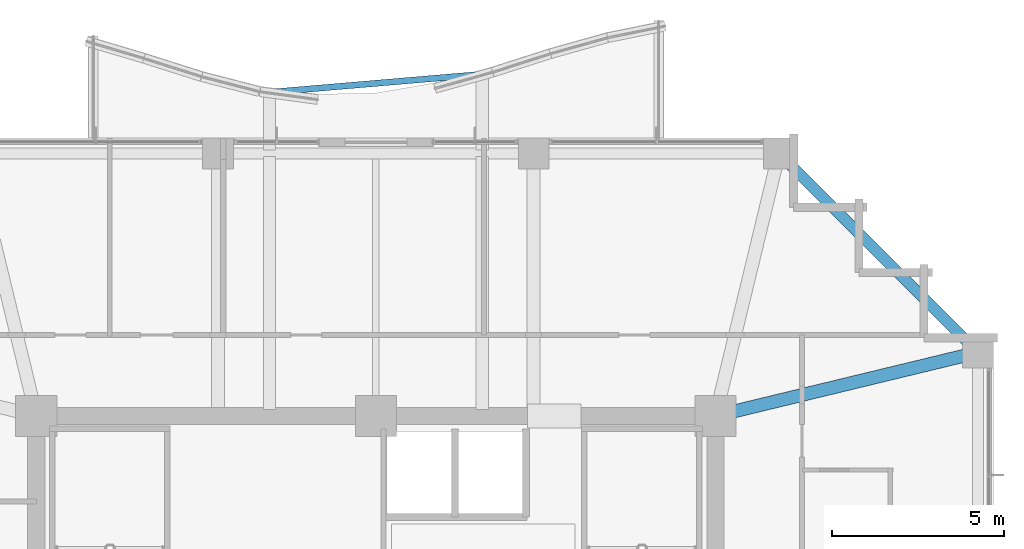
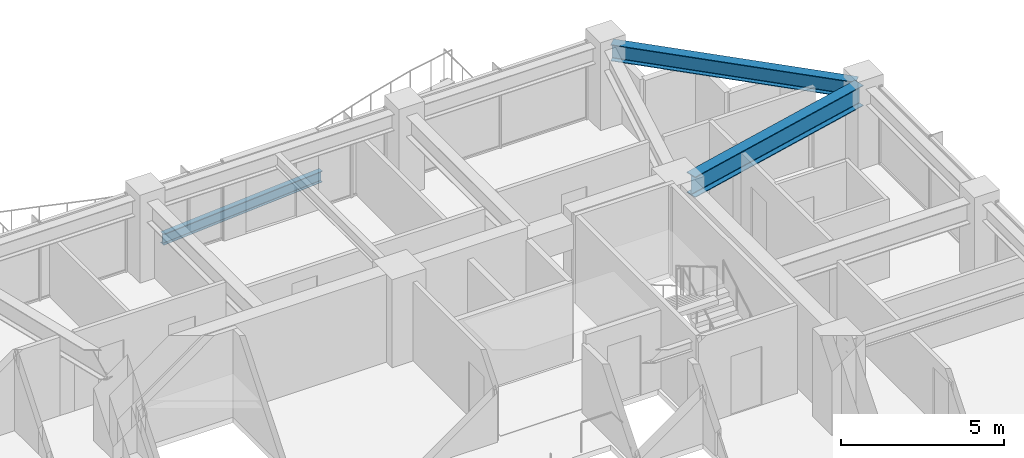
# One storey, part 20 of 31: 3 beams.
"""IFC4 building model written with IfcOpenShell, lengths in metres."""

import ifcopenshell
import ifcopenshell.guid

model = None  # the IFC model being written
_history = None  # IfcOwnerHistory: only IFC2X3 demands one
_inside = {}  # id of a spatial element -> (the spatial element, [elements in it])
_under = {}  # id of a project, library or spatial element -> (it, [spatial elements below it])
_declared = {}  # id of a project -> (the project, [libraries it declares])
_typed = {}  # id of a type object -> (the type object, [elements of that type])
_made_of = {}  # id of a material, layer set ... -> (it, [elements and type objects made of it])


def new_model(schema):
    """Start an empty IFC model of exactly this schema.

    Asked for "IFC4X3", IfcOpenShell would pick the latest addendum, in which some entities
    have other attributes; the version numbers below select the first issue.
    IFC2X3 requires an IfcOwnerHistory on every rooted entity: one is made here for all.
    """
    global model, _history
    if schema == "IFC4X3":
        model = ifcopenshell.file(schema_version=(4, 3, 0, 0))
    else:
        model = ifcopenshell.file(schema=schema)
    _inside.clear()
    _under.clear()
    _declared.clear()
    _typed.clear()
    _made_of.clear()
    _history = None
    if model.schema == "IFC2X3":
        org = make("IfcOrganization", Name="unknown")
        user = make(
            "IfcPersonAndOrganization",
            ThePerson=make("IfcPerson", FamilyName="unknown"),
            TheOrganization=org,
        )
        app = make(
            "IfcApplication",
            ApplicationDeveloper=org,
            Version="unknown",
            ApplicationFullName="unknown",
            ApplicationIdentifier="unknown",
        )
        _history = make(
            "IfcOwnerHistory",
            OwningUser=user,
            OwningApplication=app,
            ChangeAction="ADDED",
            CreationDate=0,
        )
    return model


def make(cls, **values):
    """One entity of the class cls with the attributes given. An attribute that is None is left unset."""
    return model.create_entity(
        cls, **{name: value for name, value in values.items() if value is not None}
    )


def rooted(cls, **values):
    """An entity with a GlobalId (a new one), such as an element, a storey or a relation."""
    return make(cls, GlobalId=ifcopenshell.guid.new(), OwnerHistory=_history, **values)


def si_unit(unit_type, name, prefix=None):
    """IfcSIUnit, for example si_unit("LENGTHUNIT", "METRE", prefix="MILLI")."""
    return make("IfcSIUnit", UnitType=unit_type, Prefix=prefix, Name=name)


def assignment(units):
    """IfcUnitAssignment: the units of a project."""
    return None if units is None else make("IfcUnitAssignment", Units=units)


def point(xyz):
    """IfcCartesianPoint."""
    return None if xyz is None else make("IfcCartesianPoint", Coordinates=xyz)


def direction(xyz):
    """IfcDirection."""
    return None if xyz is None else make("IfcDirection", DirectionRatios=xyz)


def frame(location, z_axis=None, x_axis=None):
    """IfcAxis2Placement3D, a coordinate frame: its origin and axes. An axis left out is left unset."""
    return make(
        "IfcAxis2Placement3D",
        Location=point(location),
        Axis=direction(z_axis),
        RefDirection=direction(x_axis),
    )


def frame_2d(location, x_axis=None):
    """IfcAxis2Placement2D, a coordinate frame in the plane: its origin and x axis."""
    return make(
        "IfcAxis2Placement2D", Location=point(location), RefDirection=direction(x_axis)
    )


def origin():
    """The frame at (0, 0, 0) with its axes left unset."""
    return frame((0.0, 0.0, 0.0))


def origin_2d():
    """The frame at (0, 0) in the plane with its x axis left unset."""
    return frame_2d((0.0, 0.0))


def place(relative_to, where):
    """IfcLocalPlacement: puts the frame where relative to a parent placement (None: the world)."""
    return make(
        "IfcLocalPlacement", PlacementRelTo=relative_to, RelativePlacement=where
    )


def context(
    kind, dimensions, precision=None, world=None, true_north=None, identifier=None
):
    """IfcGeometricRepresentationContext, for example the 3D "Model" context."""
    return make(
        "IfcGeometricRepresentationContext",
        ContextIdentifier=identifier,
        ContextType=kind,
        CoordinateSpaceDimension=dimensions,
        Precision=precision,
        WorldCoordinateSystem=world,
        TrueNorth=true_north,
    )


def subcontext(parent, identifier, kind, view, scale=None):
    """IfcGeometricRepresentationSubContext, for example "Body" below "Model"."""
    return make(
        "IfcGeometricRepresentationSubContext",
        ContextIdentifier=identifier,
        ContextType=kind,
        ParentContext=parent,
        TargetScale=scale,
        TargetView=view,
    )


def project(units=None, contexts=None):
    """IfcProject with its units and contexts."""
    return rooted(
        "IfcProject",
        Name="project",
        RepresentationContexts=contexts,
        UnitsInContext=assignment(units),
    )


def spatial(cls, under=None, at=None, **own):
    """A site, building, storey or space (cls), placed at a placement, below another one or the project."""
    s = rooted(cls, ObjectPlacement=at, **own)
    if under is not None:
        _under.setdefault(under.id(), (under, []))[1].append(s)
    return s


def profile(cls, at=None, kind="AREA", **sizes):
    """A parametric profile (cls). Its sizes go by their IFC names, for example OverallWidth=200.0."""
    return make(cls, ProfileType=kind, Position=at, **sizes)


def i_section(**sizes):
    """IfcIShapeProfileDef."""
    return profile("IfcIShapeProfileDef", **sizes)


def extrude(swept, where, along, depth):
    """IfcExtrudedAreaSolid: the profile swept, set in the frame where, extruded along a direction by depth."""
    return make(
        "IfcExtrudedAreaSolid",
        SweptArea=swept,
        Position=where,
        ExtrudedDirection=direction(along),
        Depth=depth,
    )


def shape(context_of_items, identifier, shape_type, items):
    """IfcShapeRepresentation: the items that make up one representation, for example the "Body"."""
    return make(
        "IfcShapeRepresentation",
        ContextOfItems=context_of_items,
        RepresentationIdentifier=identifier,
        RepresentationType=shape_type,
        Items=items,
    )


def material(Name=None, Category=None):
    """IfcMaterial."""
    return make("IfcMaterial", Name=Name, Category=Category)


def material_profile(
    of_material, cross_section, Name=None, Category=None, Priority=None
):
    """IfcMaterialProfile: a cross section and its material."""
    return make(
        "IfcMaterialProfile",
        Name=Name,
        Material=of_material,
        Profile=cross_section,
        Priority=Priority,
        Category=Category,
    )


def profile_set(profiles, Name=None, composite=None):
    """IfcMaterialProfileSet."""
    return make(
        "IfcMaterialProfileSet",
        Name=Name,
        MaterialProfiles=profiles,
        CompositeProfile=composite,
    )


def made_of(thing, what):
    """Note that an element or type object is made of a material, layer set ...; save() writes the relation."""
    if what is not None:
        _made_of.setdefault(what.id(), (what, []))[1].append(thing)
    return thing


def type_object(cls, material=None, **own):
    """A type object (cls), such as IfcWallType, which elements share."""
    return made_of(rooted(cls, **own), material)


def element(
    cls,
    number,
    at=None,
    inside=None,
    cuts=None,
    type_object=None,
    material=None,
    context=None,
    identifier="Body",
    shape_type=None,
    held_by="IfcProductDefinitionShape",
    body=None,
    shapes=None,
    **own,
):
    """One element of the class cls, such as IfcWall. Its Tag is "e" and its number.

    at: its placement. inside: the storey or other place that contains it. cuts: it is an
    opening in that element (IfcRelVoidsElement). A single representation is given by context,
    identifier, shape_type and body (its items); several are given by shapes. held_by: the class
    of the entity that holds the representations. save() writes the other relations.
    """
    e = rooted(cls, Tag="e%d" % number, ObjectPlacement=at, **own)
    if body is not None:
        shapes = [shape(context, identifier, shape_type, body)]
    if shapes is not None:
        e.Representation = make(held_by, Representations=shapes)
    if inside is not None:
        _inside.setdefault(inside.id(), (inside, []))[1].append(e)
    if cuts is not None:
        rooted(
            "IfcRelVoidsElement", RelatingBuildingElement=cuts, RelatedOpeningElement=e
        )
    if type_object is not None:
        _typed.setdefault(type_object.id(), (type_object, []))[1].append(e)
    return made_of(e, material)


def aggregate(whole, parts):
    """IfcRelAggregates: a whole, such as a stair, and the parts it consists of."""
    return rooted("IfcRelAggregates", RelatingObject=whole, RelatedObjects=parts)


def save(model, path):
    """Write the relations noted so far, then the file.

    IfcRelAggregates (storeys below a building ...), IfcRelContainedInSpatialStructure (elements
    in a storey), IfcRelDefinesByType, IfcRelAssociatesMaterial and IfcRelDeclares: one each for
    every whole, place, type object, material and project.
    """
    for whole, parts in _under.values():
        aggregate(whole, parts)
    for where, things in _inside.values():
        rooted(
            "IfcRelContainedInSpatialStructure",
            RelatedElements=things,
            RelatingStructure=where,
        )
    for kind, things in _typed.values():
        rooted("IfcRelDefinesByType", RelatedObjects=things, RelatingType=kind)
    for what, things in _made_of.values():
        rooted("IfcRelAssociatesMaterial", RelatedObjects=things, RelatingMaterial=what)
    for by, libraries in _declared.values():
        rooted("IfcRelDeclares", RelatingContext=by, RelatedDefinitions=libraries)
    model.write(path)


model = new_model("IFC4")

# Units and contexts
model_context = context("Model", 3, precision=1e-05, world=origin(), true_north=direction((0.0, 1.0)))
body_context = subcontext(model_context, "Body", "Model", "MODEL_VIEW")
ifc_project = project(units=[si_unit("LENGTHUNIT", "METRE"), si_unit("AREAUNIT", "SQUARE_METRE"), si_unit("VOLUMEUNIT", "CUBIC_METRE"), si_unit("PLANEANGLEUNIT", "RADIAN"), si_unit("MASSUNIT", "GRAM", prefix="KILO")], contexts=[model_context])

# Site, building, storey
site_placement = place(None, origin())
site = spatial("IfcSite", under=ifc_project, at=site_placement, CompositionType="ELEMENT")
building_placement = place(site_placement, origin())
building = spatial("IfcBuilding", under=site, at=building_placement, Name="Kolvaren Belvedere", CompositionType="ELEMENT")
storey_placement = place(building_placement, frame((0.0, 0.0, 144.800048828125)))
storey = spatial("IfcBuildingStorey", under=building, at=storey_placement, Name="L42", CompositionType="ELEMENT", Elevation=144.800048828125)

# Beams
ifc_material_1 = material(Name="Structural steel ASTM A992 Grade 50", Category="steel")
ifc_material_profile_1 = material_profile(ifc_material_1, i_section(OverallWidth=0.180908203125, OverallDepth=0.4169921875, WebThickness=0.010986328125, FlangeThickness=0.018310546875, FilletRadius=0.013916015625, at=origin_2d()), Name="W16X57")
ifc_profile_set_1 = profile_set([ifc_material_profile_1], Name="Structural steel ASTM A992 Grade 50")
beam_type_1 = type_object("IfcBeamType", Name="BM-EDGE-W16X57", PredefinedType="BEAM", material=ifc_profile_set_1)
beam_1_placement = place(storey_placement, frame((-2.96044921875, 19.34423828125, -0.408447265625), z_axis=(0.996418806389, 0.084555084263, 0.0), x_axis=(-0.084555084263, 0.996418806389, 0.0)))
element("IfcBeam", 1, at=beam_1_placement, inside=storey, type_object=beam_type_1, Name="L42 Balcony Tip Header Beam BAL-N", PredefinedType="BEAM", context=body_context, shape_type="SweptSolid", body=[
    extrude(i_section(OverallWidth=0.180908203125, OverallDepth=0.4169921875, WebThickness=0.010986328125, FlangeThickness=0.018310546875, FilletRadius=0.013916015625, at=origin_2d()), origin(), (0.0, 0.0, 1.0), 5.942138671875),
])
ifc_material_2 = material(Name="Structural steel ASTM A992 Grade 50", Category="steel")
ifc_material_profile_2 = material_profile(ifc_material_2, i_section(OverallWidth=0.381103515625, OverallDepth=0.77294921875, WebThickness=0.0166015625, FlangeThickness=0.027099609375, FilletRadius=0.02392578125, at=origin_2d()), Name="W30X173")
ifc_profile_set_2 = profile_set([ifc_material_profile_2], Name="Structural steel ASTM A992 Grade 50")
beam_type_2 = type_object("IfcBeamType", Name="BM-GIRD-W30X173", PredefinedType="BEAM", material=ifc_profile_set_2)
beam_2_placement = place(storey_placement, frame((10.4345703125, 10.029296875, 2.5634765625), z_axis=(0.971980197119, 0.235062749937, 0.0), x_axis=(-0.235062749937, 0.971980197119, 0.0)))
element("IfcBeam", 2, at=beam_2_placement, inside=storey, type_object=beam_type_2, Name="L42 Corner Core-to-Perimeter Girder CC3-E4", PredefinedType="BEAM", context=body_context, shape_type="SweptSolid", body=[
    extrude(i_section(OverallWidth=0.381103515625, OverallDepth=0.77294921875, WebThickness=0.0166015625, FlangeThickness=0.027099609375, FilletRadius=0.02392578125, at=origin_2d()), origin(), (0.0, 0.0, 1.0), 7.140625),
])
ifc_material_3 = material(Name="Structural steel ASTM A992 Grade 50", Category="steel")
ifc_material_profile_3 = material_profile(ifc_material_3, i_section(OverallWidth=0.324951171875, OverallDepth=0.615966796875, WebThickness=0.013916015625, FlangeThickness=0.021484375, FilletRadius=0.02001953125, at=origin_2d()), Name="W24X117")
ifc_profile_set_3 = profile_set([ifc_material_profile_3], Name="Structural steel ASTM A992 Grade 50")
beam_type_3 = type_object("IfcBeamType", Name="BM-SPAN-W24X117", PredefinedType="SPANDREL", material=ifc_profile_set_3)
beam_3_placement = place(storey_placement, frame((17.40673828125, 11.893310546875, 2.641845703125), z_axis=(-0.707106781187, 0.707106781187, 0.0), x_axis=(-0.707106781187, -0.707106781187, 0.0)))
element("IfcBeam", 3, at=beam_3_placement, inside=storey, type_object=beam_type_3, Name="L42 Perimeter Spandrel E4-N4", PredefinedType="SPANDREL", context=body_context, shape_type="SweptSolid", body=[
    extrude(i_section(OverallWidth=0.324951171875, OverallDepth=0.615966796875, WebThickness=0.013916015625, FlangeThickness=0.021484375, FilletRadius=0.02001953125, at=origin_2d()), origin(), (0.0, 0.0, 1.0), 7.797119140625),
])

save(model, "model.ifc")
